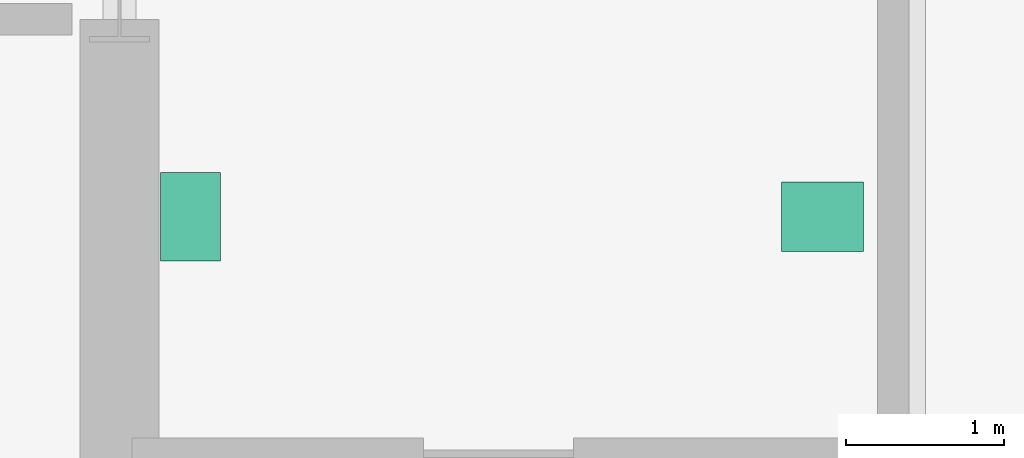
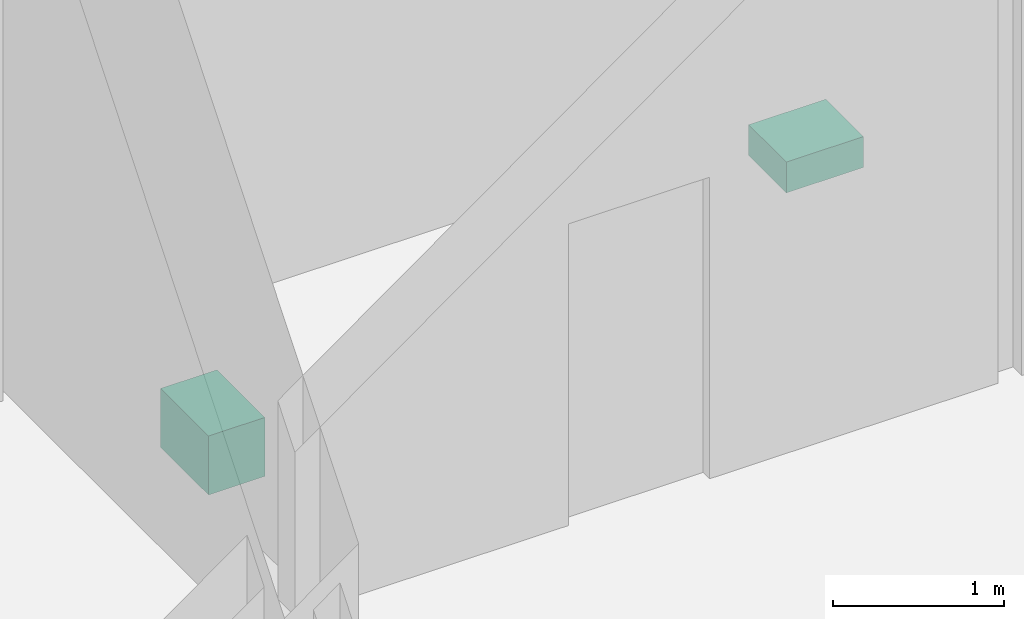
# One storey, part 24 of 24: 2 sanitary terminals.
"""IFC4 building model written with IfcOpenShell, lengths in metres."""

from ifc_helpers import new_model, si_unit, direction, frame, origin, origin_2d, place, context, subcontext, project, spatial, rectangle, extrude, material, type_object, element, save


model = new_model("IFC4")

# Units and contexts
model_context = context("Model", 3, precision=1e-05, world=origin(), true_north=direction((0.0, 1.0)))
body_context = subcontext(model_context, "Body", "Model", "MODEL_VIEW")
ifc_project = project(units=[si_unit("LENGTHUNIT", "METRE"), si_unit("AREAUNIT", "SQUARE_METRE"), si_unit("VOLUMEUNIT", "CUBIC_METRE"), si_unit("PLANEANGLEUNIT", "RADIAN"), si_unit("MASSUNIT", "GRAM", prefix="KILO")], contexts=[model_context])

# Site, building, storey
site_placement = place(None, origin())
site = spatial("IfcSite", under=ifc_project, at=site_placement, CompositionType="ELEMENT")
building_placement = place(site_placement, origin())
building = spatial("IfcBuilding", under=site, at=building_placement, Name="Barlavira Tower and Art Museum", CompositionType="ELEMENT")
storey_placement = place(building_placement, frame((0.0, 0.0, 272.699951171875)))
storey = spatial("IfcBuildingStorey", under=building, at=storey_placement, Name="L71", CompositionType="ELEMENT", Elevation=272.699951171875)

# Sanitary terminals
ifc_material = material(Name="Vitreous glazed ceramic", Category="ceramic")
sanitary_terminal_type_1 = type_object("IfcSanitaryTerminalType", Name="Countertop Ceramic Wash Hand Basin", PredefinedType="WASHHANDBASIN", material=ifc_material)
sanitary_terminal_1_placement = place(storey_placement, frame((10.949951171875, 6.0, 0.740234375), z_axis=(0.0, 0.0, 1.0), x_axis=(1.0, 0.0, 0.0)))
element("IfcSanitaryTerminal", 1, at=sanitary_terminal_1_placement, inside=storey, type_object=sanitary_terminal_type_1, Name="L71-E-AWC Wash Basin", PredefinedType="WASHHANDBASIN", context=body_context, shape_type="SweptSolid", body=[
    extrude(rectangle(XDim=0.52001953125, YDim=0.43994140625, at=origin_2d()), origin(), (0.0, 0.0, 1.0), 0.219970703125),
])
sanitary_terminal_type_2 = type_object("IfcSanitaryTerminalType", Name="Wall-Hung Dual-Flush Vitreous WC Pan", PredefinedType="TOILETPAN", material=ifc_material)
sanitary_terminal_2_placement = place(storey_placement, frame((6.949951171875, 6.0, 0.0), z_axis=(0.0, 0.0, 1.0), x_axis=(1.0, 0.0, 0.0)))
element("IfcSanitaryTerminal", 2, at=sanitary_terminal_2_placement, inside=storey, type_object=sanitary_terminal_type_2, Name="L71-E-AWC WC Pan", PredefinedType="TOILETPAN", context=body_context, shape_type="SweptSolid", body=[
    extrude(rectangle(XDim=0.3798828125, YDim=0.56005859375, at=origin_2d()), origin(), (0.0, 0.0, 1.0), 0.419921875),
])

save(model, "model.ifc")
